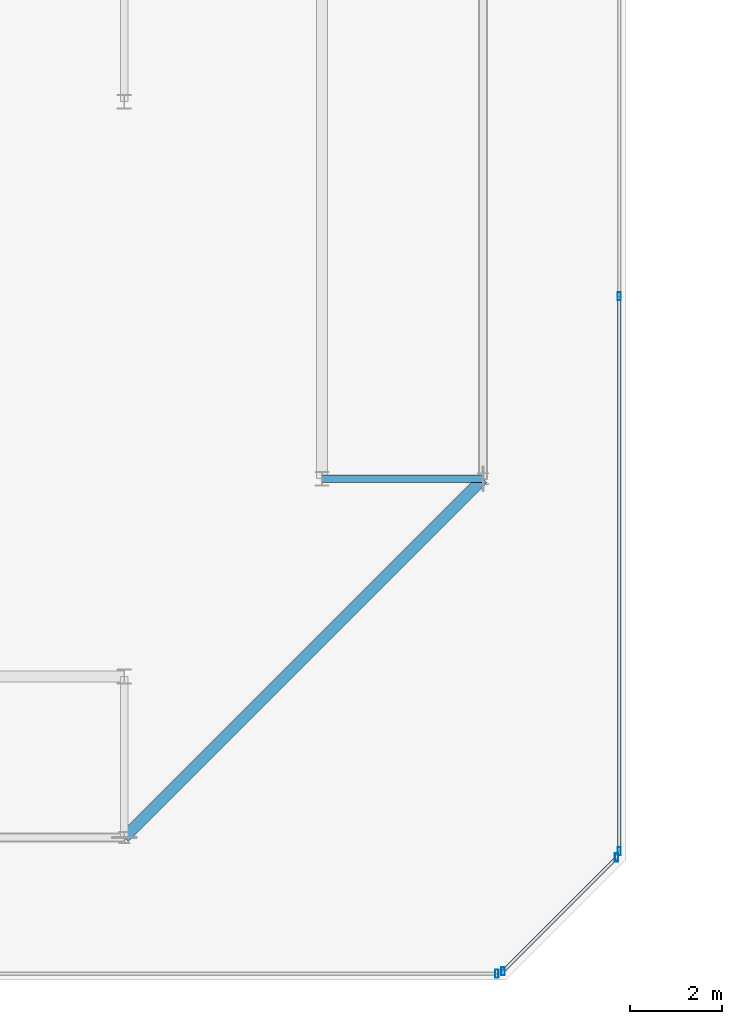
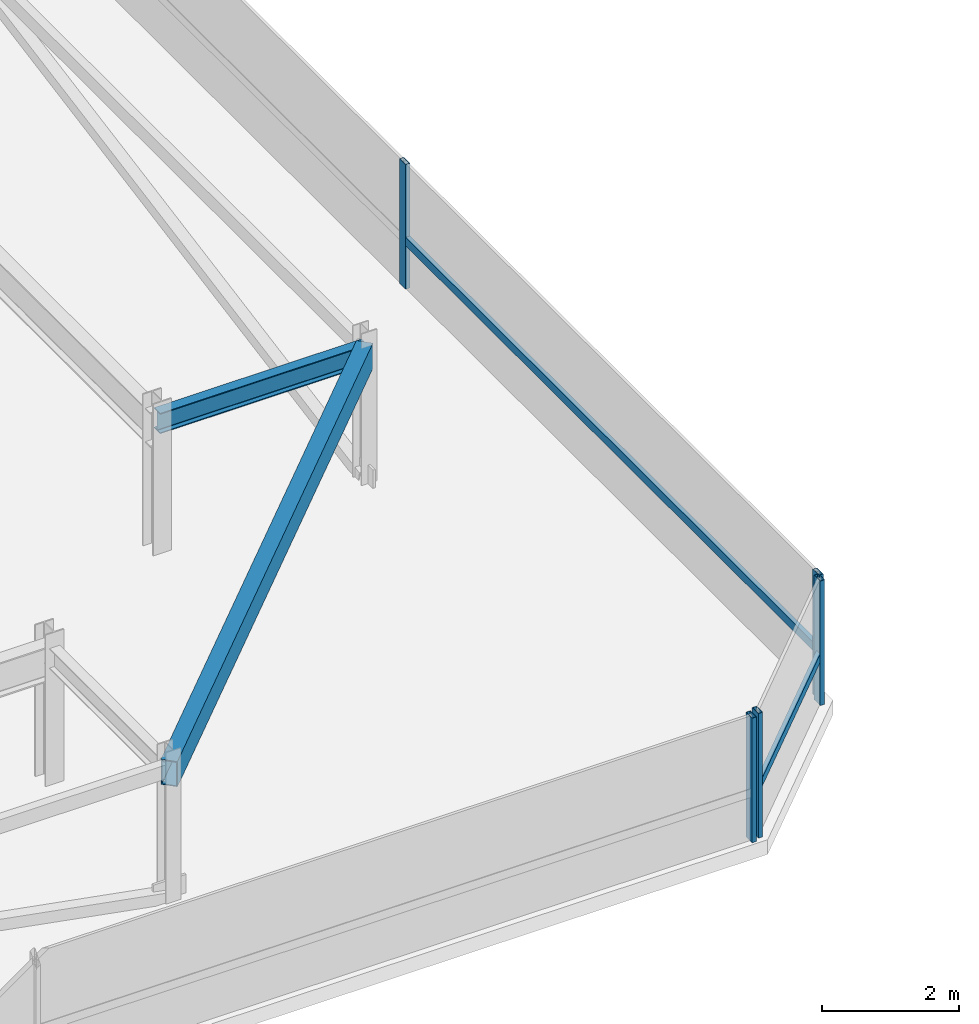
# One storey, part 18 of 44: 7 members, 2 beams, 3 elements without a shape of their own.
"""IFC4 building model written with IfcOpenShell, lengths in metres."""

from ifc_helpers import new_model, si_unit, direction, frame, origin, origin_2d, place, context, subcontext, project, spatial, hollow_rectangle, i_section, extrude, material, material_profile, profile_set, type_object, element, aggregate, save


model = new_model("IFC4")

# Units and contexts
model_context = context("Model", 3, precision=1e-05, world=origin(), true_north=direction((0.0, 1.0)))
body_context = subcontext(model_context, "Body", "Model", "MODEL_VIEW")
ifc_project = project(units=[si_unit("LENGTHUNIT", "METRE"), si_unit("AREAUNIT", "SQUARE_METRE"), si_unit("VOLUMEUNIT", "CUBIC_METRE"), si_unit("PLANEANGLEUNIT", "RADIAN"), si_unit("MASSUNIT", "GRAM", prefix="KILO")], contexts=[model_context])

# Site, building, storey
site_placement = place(None, origin())
site = spatial("IfcSite", under=ifc_project, at=site_placement, CompositionType="ELEMENT")
building_placement = place(site_placement, origin())
building = spatial("IfcBuilding", under=site, at=building_placement, Name="Thornwick Lancets Civic Towers", CompositionType="ELEMENT")
storey_placement = place(building_placement, frame((0.0, 0.0, 292.199951171875)))
storey = spatial("IfcBuildingStorey", under=building, at=storey_placement, Name="C05", CompositionType="ELEMENT", Elevation=292.199951171875)

# Beams
ifc_material_1 = material(Name="Steel S355JR", Category="steel")
ifc_material_profile_1 = material_profile(ifc_material_1, i_section(OverallWidth=0.173095703125, OverallDepth=0.36328125, WebThickness=0.009033203125, FlangeThickness=0.015625, FilletRadius=0.01025390625, at=origin_2d()), Name="UKB 356x171x67")
ifc_profile_set_1 = profile_set([ifc_material_profile_1], Name="Steel S355JR")
beam_type_1 = type_object("IfcBeamType", Name="BM_JOIST_356_67", PredefinedType="JOIST", material=ifc_profile_set_1)
beam_1_placement = place(storey_placement, frame((42.800048828125, 14.0, 2.25830078125), z_axis=(1.0, 0.0, 0.0), x_axis=(0.0, 1.0, 0.0)))
element("IfcBeam", 1, at=beam_1_placement, inside=storey, type_object=beam_type_1, Name="BM-RAD-C05-A04", PredefinedType="JOIST", context=body_context, shape_type="SweptSolid", body=[
    extrude(i_section(OverallWidth=0.173095703125, OverallDepth=0.36328125, WebThickness=0.009033203125, FlangeThickness=0.015625, FilletRadius=0.01025390625, at=origin_2d()), origin(), (0.0, 0.0, 1.0), 3.5),
])
ifc_material_profile_2 = material_profile(ifc_material_1, hollow_rectangle(XDim=0.25, YDim=0.449951171875, WallThickness=0.01611328125, at=origin_2d()), Name="RHS 450x250x16")
ifc_profile_set_2 = profile_set([ifc_material_profile_2], Name="Steel S355JR")
beam_type_2 = type_object("IfcBeamType", Name="BM_RING_RHS450", PredefinedType="BEAM", material=ifc_profile_set_2)
beam_2_placement = place(storey_placement, frame((38.5, 6.199951171875, 2.215087890625), z_axis=(0.707106781187, 0.707106781187, 0.0), x_axis=(-0.707106781187, 0.707106781187, 0.0)))
element("IfcBeam", 2, at=beam_2_placement, inside=storey, type_object=beam_type_2, Name="BM-CHAMF-C05-A-C0", PredefinedType="BEAM", context=body_context, shape_type="SweptSolid", body=[
    extrude(hollow_rectangle(XDim=0.25, YDim=0.449951171875, WallThickness=0.01611328125, at=origin_2d()), origin(), (0.0, 0.0, 1.0), 11.031005859375),
])

# Curtain wall, member
ifc_material_2 = material(Name="Crown ring acoustic-louvre and glazing screen wall", Category="glass")
curtain_wall_type = type_object("IfcCurtainWallType", Name="CW_SYS_07", PredefinedType="NOTDEFINED", material=ifc_material_2)
curtain_wall_1_placement = place(storey_placement, origin())
curtain_wall_1 = element("IfcCurtainWall", 3, at=curtain_wall_1_placement, inside=storey, type_object=curtain_wall_type, Name="C05 Curtain Wall CW-C05-A-E0", PredefinedType="NOTDEFINED")
ifc_material_3 = material(Name="Thermally broken bronze aluminium S355", Category="steel")
ifc_material_profile_3 = material_profile(ifc_material_3, hollow_rectangle(XDim=0.074951171875, YDim=0.179931640625, WallThickness=0.006103515625, at=origin_2d()), Name="RHS 180x75x6")
ifc_profile_set_3 = profile_set([ifc_material_profile_3], Name="Thermally broken bronze aluminium S355")
member_type_1 = type_object("IfcMemberType", Name="CW_MUL_180", PredefinedType="MULLION", material=ifc_profile_set_3)
member_1_placement = place(storey_placement, frame((46.601318359375, 3.2353515625, 0.0), z_axis=(0.0, 0.0, 1.0), x_axis=(1.0, 0.0, 0.0)))
member_1 = element("IfcMember", 4, at=member_1_placement, type_object=member_type_1, Name="CW-C05-A-E0 Mullion 3", PredefinedType="MULLION", context=body_context, shape_type="SweptSolid", body=[
    extrude(hollow_rectangle(XDim=0.074951171875, YDim=0.179931640625, WallThickness=0.006103515625, at=origin_2d()), origin(), (0.0, 0.0, 1.0), 2.219970703125),
])
aggregate(curtain_wall_1, [member_1])

# Curtain wall, members
curtain_wall_2_placement = place(storey_placement, origin())
curtain_wall_2 = element("IfcCurtainWall", 5, at=curtain_wall_2_placement, inside=storey, type_object=curtain_wall_type, Name="C05 Curtain Wall CW-C05-A-E1", PredefinedType="NOTDEFINED")
member_2_placement = place(storey_placement, frame((46.738037109375, 3.2919921875, 0.0), z_axis=(0.0, 0.0, 1.0), x_axis=(1.0, 0.0, 0.0)))
member_2 = element("IfcMember", 6, at=member_2_placement, type_object=member_type_1, Name="CW-C05-A-E1 Mullion 0", PredefinedType="MULLION", context=body_context, shape_type="SweptSolid", body=[
    extrude(hollow_rectangle(XDim=0.074951171875, YDim=0.179931640625, WallThickness=0.006103515625, at=origin_2d()), origin(), (0.0, 0.0, 1.0), 2.219970703125),
])
member_3_placement = place(storey_placement, frame((49.2080078125, 5.761962890625, 0.0), z_axis=(0.0, 0.0, 1.0), x_axis=(1.0, 0.0, 0.0)))
member_3 = element("IfcMember", 7, at=member_3_placement, type_object=member_type_1, Name="CW-C05-A-E1 Mullion 1", PredefinedType="MULLION", context=body_context, shape_type="SweptSolid", body=[
    extrude(hollow_rectangle(XDim=0.074951171875, YDim=0.179931640625, WallThickness=0.006103515625, at=origin_2d()), origin(), (0.0, 0.0, 1.0), 2.219970703125),
])

curtain_wall_3_placement = place(storey_placement, origin())
curtain_wall_3 = element("IfcCurtainWall", 8, at=curtain_wall_3_placement, inside=storey, type_object=curtain_wall_type, Name="C05 Curtain Wall CW-C05-A-E2", PredefinedType="NOTDEFINED")
member_4_placement = place(storey_placement, frame((49.2646484375, 5.898681640625, 0.0), z_axis=(0.0, 0.0, 1.0), x_axis=(1.0, 0.0, 0.0)))
member_4 = element("IfcMember", 9, at=member_4_placement, type_object=member_type_1, Name="CW-C05-A-E2 Mullion 0", PredefinedType="MULLION", context=body_context, shape_type="SweptSolid", body=[
    extrude(hollow_rectangle(XDim=0.074951171875, YDim=0.179931640625, WallThickness=0.006103515625, at=origin_2d()), origin(), (0.0, 0.0, 1.0), 2.219970703125),
])
member_5_placement = place(storey_placement, frame((49.2646484375, 17.96630859375, 0.0), z_axis=(0.0, 0.0, 1.0), x_axis=(1.0, 0.0, 0.0)))
member_5 = element("IfcMember", 10, at=member_5_placement, type_object=member_type_1, Name="CW-C05-A-E2 Mullion 1", PredefinedType="MULLION", context=body_context, shape_type="SweptSolid", body=[
    extrude(hollow_rectangle(XDim=0.074951171875, YDim=0.179931640625, WallThickness=0.006103515625, at=origin_2d()), origin(), (0.0, 0.0, 1.0), 2.219970703125),
])

# Member
ifc_material_profile_4 = material_profile(ifc_material_3, hollow_rectangle(XDim=0.074951171875, YDim=0.14990234375, WallThickness=0.0048828125, at=origin_2d()), Name="RHS 150x75x5")
ifc_profile_set_4 = profile_set([ifc_material_profile_4], Name="Thermally broken bronze aluminium S355")
member_type_2 = type_object("IfcMemberType", Name="CW_TRN_150", PredefinedType="USERDEFINED", material=ifc_profile_set_4)
member_6_placement = place(storey_placement, frame((46.752197265625, 3.30615234375, 0.85009765625), z_axis=(0.707106781187, 0.707106781187, 0.0), x_axis=(-0.707106781187, 0.707106781187, 0.0)))
member_6 = element("IfcMember", 11, at=member_6_placement, type_object=member_type_2, Name="CW-C05-A-E1 Transom 0", ObjectType="TRANSOM", PredefinedType="USERDEFINED", context=body_context, shape_type="SweptSolid", body=[
    extrude(hollow_rectangle(XDim=0.074951171875, YDim=0.14990234375, WallThickness=0.0048828125, at=origin_2d()), origin(), (0.0, 0.0, 1.0), 3.453125),
])

aggregate(curtain_wall_2, [member_2, member_3, member_6])

member_7_placement = place(storey_placement, frame((49.2646484375, 5.918701171875, 0.85009765625), z_axis=(0.0, 1.0, 0.0), x_axis=(-1.0, 0.0, 0.0)))
member_7 = element("IfcMember", 12, at=member_7_placement, type_object=member_type_2, Name="CW-C05-A-E2 Transom 0", ObjectType="TRANSOM", PredefinedType="USERDEFINED", context=body_context, shape_type="SweptSolid", body=[
    extrude(hollow_rectangle(XDim=0.074951171875, YDim=0.14990234375, WallThickness=0.0048828125, at=origin_2d()), origin(), (0.0, 0.0, 1.0), 12.027587890625),
])

aggregate(curtain_wall_3, [member_4, member_5, member_7])

save(model, "model.ifc")
